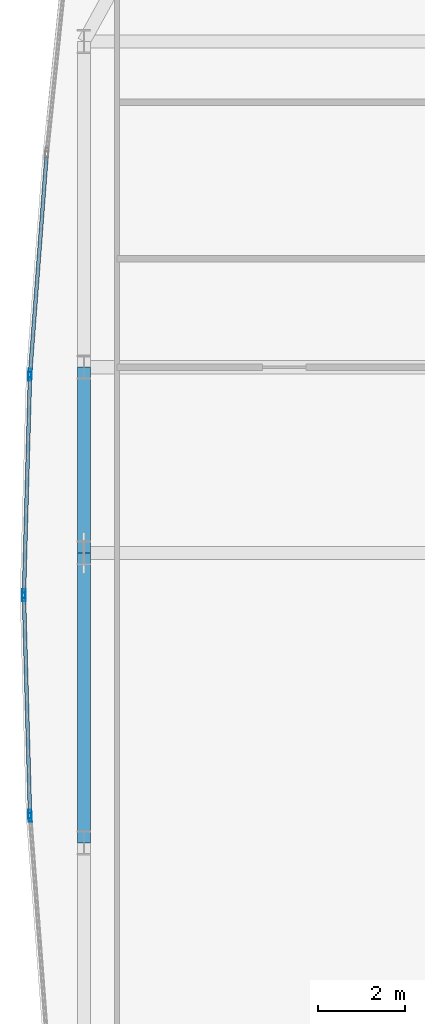
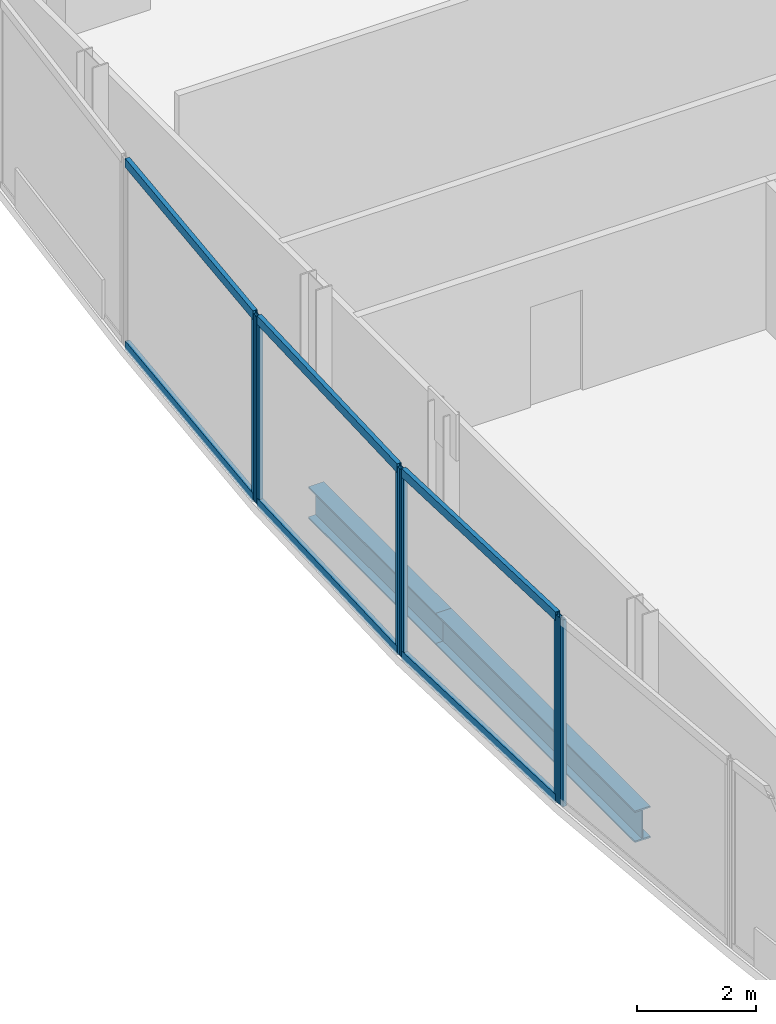
# One storey, part 10 of 33: 12 members, 2 beams, 4 elements without a shape of their own.
"""IFC4 building model written with IfcOpenShell, lengths in metres."""

import ifcopenshell
import ifcopenshell.guid

model = None  # the IFC model being written
_history = None  # IfcOwnerHistory: only IFC2X3 demands one
_inside = {}  # id of a spatial element -> (the spatial element, [elements in it])
_under = {}  # id of a project, library or spatial element -> (it, [spatial elements below it])
_declared = {}  # id of a project -> (the project, [libraries it declares])
_typed = {}  # id of a type object -> (the type object, [elements of that type])
_made_of = {}  # id of a material, layer set ... -> (it, [elements and type objects made of it])


def new_model(schema):
    """Start an empty IFC model of exactly this schema.

    Asked for "IFC4X3", IfcOpenShell would pick the latest addendum, in which some entities
    have other attributes; the version numbers below select the first issue.
    IFC2X3 requires an IfcOwnerHistory on every rooted entity: one is made here for all.
    """
    global model, _history
    if schema == "IFC4X3":
        model = ifcopenshell.file(schema_version=(4, 3, 0, 0))
    else:
        model = ifcopenshell.file(schema=schema)
    _inside.clear()
    _under.clear()
    _declared.clear()
    _typed.clear()
    _made_of.clear()
    _history = None
    if model.schema == "IFC2X3":
        org = make("IfcOrganization", Name="unknown")
        user = make(
            "IfcPersonAndOrganization",
            ThePerson=make("IfcPerson", FamilyName="unknown"),
            TheOrganization=org,
        )
        app = make(
            "IfcApplication",
            ApplicationDeveloper=org,
            Version="unknown",
            ApplicationFullName="unknown",
            ApplicationIdentifier="unknown",
        )
        _history = make(
            "IfcOwnerHistory",
            OwningUser=user,
            OwningApplication=app,
            ChangeAction="ADDED",
            CreationDate=0,
        )
    return model


def make(cls, **values):
    """One entity of the class cls with the attributes given. An attribute that is None is left unset."""
    return model.create_entity(
        cls, **{name: value for name, value in values.items() if value is not None}
    )


def rooted(cls, **values):
    """An entity with a GlobalId (a new one), such as an element, a storey or a relation."""
    return make(cls, GlobalId=ifcopenshell.guid.new(), OwnerHistory=_history, **values)


def si_unit(unit_type, name, prefix=None):
    """IfcSIUnit, for example si_unit("LENGTHUNIT", "METRE", prefix="MILLI")."""
    return make("IfcSIUnit", UnitType=unit_type, Prefix=prefix, Name=name)


def assignment(units):
    """IfcUnitAssignment: the units of a project."""
    return None if units is None else make("IfcUnitAssignment", Units=units)


def point(xyz):
    """IfcCartesianPoint."""
    return None if xyz is None else make("IfcCartesianPoint", Coordinates=xyz)


def direction(xyz):
    """IfcDirection."""
    return None if xyz is None else make("IfcDirection", DirectionRatios=xyz)


def frame(location, z_axis=None, x_axis=None):
    """IfcAxis2Placement3D, a coordinate frame: its origin and axes. An axis left out is left unset."""
    return make(
        "IfcAxis2Placement3D",
        Location=point(location),
        Axis=direction(z_axis),
        RefDirection=direction(x_axis),
    )


def frame_2d(location, x_axis=None):
    """IfcAxis2Placement2D, a coordinate frame in the plane: its origin and x axis."""
    return make(
        "IfcAxis2Placement2D", Location=point(location), RefDirection=direction(x_axis)
    )


def origin():
    """The frame at (0, 0, 0) with its axes left unset."""
    return frame((0.0, 0.0, 0.0))


def origin_2d():
    """The frame at (0, 0) in the plane with its x axis left unset."""
    return frame_2d((0.0, 0.0))


def place(relative_to, where):
    """IfcLocalPlacement: puts the frame where relative to a parent placement (None: the world)."""
    return make(
        "IfcLocalPlacement", PlacementRelTo=relative_to, RelativePlacement=where
    )


def context(
    kind, dimensions, precision=None, world=None, true_north=None, identifier=None
):
    """IfcGeometricRepresentationContext, for example the 3D "Model" context."""
    return make(
        "IfcGeometricRepresentationContext",
        ContextIdentifier=identifier,
        ContextType=kind,
        CoordinateSpaceDimension=dimensions,
        Precision=precision,
        WorldCoordinateSystem=world,
        TrueNorth=true_north,
    )


def subcontext(parent, identifier, kind, view, scale=None):
    """IfcGeometricRepresentationSubContext, for example "Body" below "Model"."""
    return make(
        "IfcGeometricRepresentationSubContext",
        ContextIdentifier=identifier,
        ContextType=kind,
        ParentContext=parent,
        TargetScale=scale,
        TargetView=view,
    )


def project(units=None, contexts=None):
    """IfcProject with its units and contexts."""
    return rooted(
        "IfcProject",
        Name="project",
        RepresentationContexts=contexts,
        UnitsInContext=assignment(units),
    )


def spatial(cls, under=None, at=None, **own):
    """A site, building, storey or space (cls), placed at a placement, below another one or the project."""
    s = rooted(cls, ObjectPlacement=at, **own)
    if under is not None:
        _under.setdefault(under.id(), (under, []))[1].append(s)
    return s


def profile(cls, at=None, kind="AREA", **sizes):
    """A parametric profile (cls). Its sizes go by their IFC names, for example OverallWidth=200.0."""
    return make(cls, ProfileType=kind, Position=at, **sizes)


def hollow_rectangle(**sizes):
    """IfcRectangleHollowProfileDef."""
    return profile("IfcRectangleHollowProfileDef", **sizes)


def i_section(**sizes):
    """IfcIShapeProfileDef."""
    return profile("IfcIShapeProfileDef", **sizes)


def extrude(swept, where, along, depth):
    """IfcExtrudedAreaSolid: the profile swept, set in the frame where, extruded along a direction by depth."""
    return make(
        "IfcExtrudedAreaSolid",
        SweptArea=swept,
        Position=where,
        ExtrudedDirection=direction(along),
        Depth=depth,
    )


def shape(context_of_items, identifier, shape_type, items):
    """IfcShapeRepresentation: the items that make up one representation, for example the "Body"."""
    return make(
        "IfcShapeRepresentation",
        ContextOfItems=context_of_items,
        RepresentationIdentifier=identifier,
        RepresentationType=shape_type,
        Items=items,
    )


def material(Name=None, Category=None):
    """IfcMaterial."""
    return make("IfcMaterial", Name=Name, Category=Category)


def material_profile(
    of_material, cross_section, Name=None, Category=None, Priority=None
):
    """IfcMaterialProfile: a cross section and its material."""
    return make(
        "IfcMaterialProfile",
        Name=Name,
        Material=of_material,
        Profile=cross_section,
        Priority=Priority,
        Category=Category,
    )


def profile_set(profiles, Name=None, composite=None):
    """IfcMaterialProfileSet."""
    return make(
        "IfcMaterialProfileSet",
        Name=Name,
        MaterialProfiles=profiles,
        CompositeProfile=composite,
    )


def made_of(thing, what):
    """Note that an element or type object is made of a material, layer set ...; save() writes the relation."""
    if what is not None:
        _made_of.setdefault(what.id(), (what, []))[1].append(thing)
    return thing


def type_object(cls, material=None, **own):
    """A type object (cls), such as IfcWallType, which elements share."""
    return made_of(rooted(cls, **own), material)


def element(
    cls,
    number,
    at=None,
    inside=None,
    cuts=None,
    type_object=None,
    material=None,
    context=None,
    identifier="Body",
    shape_type=None,
    held_by="IfcProductDefinitionShape",
    body=None,
    shapes=None,
    **own,
):
    """One element of the class cls, such as IfcWall. Its Tag is "e" and its number.

    at: its placement. inside: the storey or other place that contains it. cuts: it is an
    opening in that element (IfcRelVoidsElement). A single representation is given by context,
    identifier, shape_type and body (its items); several are given by shapes. held_by: the class
    of the entity that holds the representations. save() writes the other relations.
    """
    e = rooted(cls, Tag="e%d" % number, ObjectPlacement=at, **own)
    if body is not None:
        shapes = [shape(context, identifier, shape_type, body)]
    if shapes is not None:
        e.Representation = make(held_by, Representations=shapes)
    if inside is not None:
        _inside.setdefault(inside.id(), (inside, []))[1].append(e)
    if cuts is not None:
        rooted(
            "IfcRelVoidsElement", RelatingBuildingElement=cuts, RelatedOpeningElement=e
        )
    if type_object is not None:
        _typed.setdefault(type_object.id(), (type_object, []))[1].append(e)
    return made_of(e, material)


def aggregate(whole, parts):
    """IfcRelAggregates: a whole, such as a stair, and the parts it consists of."""
    return rooted("IfcRelAggregates", RelatingObject=whole, RelatedObjects=parts)


def save(model, path):
    """Write the relations noted so far, then the file.

    IfcRelAggregates (storeys below a building ...), IfcRelContainedInSpatialStructure (elements
    in a storey), IfcRelDefinesByType, IfcRelAssociatesMaterial and IfcRelDeclares: one each for
    every whole, place, type object, material and project.
    """
    for whole, parts in _under.values():
        aggregate(whole, parts)
    for where, things in _inside.values():
        rooted(
            "IfcRelContainedInSpatialStructure",
            RelatedElements=things,
            RelatingStructure=where,
        )
    for kind, things in _typed.values():
        rooted("IfcRelDefinesByType", RelatedObjects=things, RelatingType=kind)
    for what, things in _made_of.values():
        rooted("IfcRelAssociatesMaterial", RelatedObjects=things, RelatingMaterial=what)
    for by, libraries in _declared.values():
        rooted("IfcRelDeclares", RelatingContext=by, RelatedDefinitions=libraries)
    model.write(path)


model = new_model("IFC4")

# Units and contexts
model_context = context("Model", 3, precision=1e-05, world=origin(), true_north=direction((0.0, 1.0)))
body_context = subcontext(model_context, "Body", "Model", "MODEL_VIEW")
ifc_project = project(units=[si_unit("LENGTHUNIT", "METRE"), si_unit("AREAUNIT", "SQUARE_METRE"), si_unit("VOLUMEUNIT", "CUBIC_METRE"), si_unit("PLANEANGLEUNIT", "RADIAN"), si_unit("MASSUNIT", "GRAM", prefix="KILO")], contexts=[model_context])

# Site, building, storey
site_placement = place(None, origin())
site = spatial("IfcSite", under=ifc_project, at=site_placement, CompositionType="ELEMENT")
building_placement = place(site_placement, origin())
building = spatial("IfcBuilding", under=site, at=building_placement, Name="Khoronbel Lancet Exchange", CompositionType="ELEMENT")
storey_placement = place(building_placement, frame((0.0, 0.0, 33.800048828125)))
storey = spatial("IfcBuildingStorey", under=building, at=storey_placement, Name="L07", CompositionType="ELEMENT", Elevation=33.800048828125)

# Beams
ifc_material_1 = material(Name="Steel S355", Category="steel")
ifc_material_profile_1 = material_profile(ifc_material_1, i_section(OverallWidth=0.300048828125, OverallDepth=0.64990234375, WebThickness=0.01611328125, FlangeThickness=0.031005859375, at=origin_2d()), Name="HEB 650")
ifc_profile_set_1 = profile_set([ifc_material_profile_1], Name="Steel S355")
beam_type = type_object("IfcBeamType", Name="BM-BSP1", PredefinedType="SPANDREL", material=ifc_profile_set_1)
beam_1_placement = place(storey_placement, frame((1.27001953125, 35.699951171875, -0.505126953125), z_axis=(0.0, -1.0, 0.0), x_axis=(1.0, 0.0, 0.0)))
element("IfcBeam", 1, at=beam_1_placement, inside=storey, type_object=beam_type, Name="Level L07 perimeter spandrel beam SP18", PredefinedType="SPANDREL", context=body_context, shape_type="SweptSolid", body=[
    extrude(i_section(OverallWidth=0.300048828125, OverallDepth=0.64990234375, WebThickness=0.01611328125, FlangeThickness=0.031005859375, at=origin_2d()), origin(), (0.0, 0.0, 1.0), 4.27490234375),
])
beam_2_placement = place(storey_placement, frame((1.27001953125, 31.425048828125, -0.505126953125), z_axis=(0.0, -1.0, 0.0), x_axis=(1.0, 0.0, 0.0)))
element("IfcBeam", 2, at=beam_2_placement, inside=storey, type_object=beam_type, Name="Level L07 perimeter spandrel beam SP19", PredefinedType="SPANDREL", context=body_context, shape_type="SweptSolid", body=[
    extrude(i_section(OverallWidth=0.300048828125, OverallDepth=0.64990234375, WebThickness=0.01611328125, FlangeThickness=0.031005859375, at=origin_2d()), origin(), (0.0, 0.0, 1.0), 6.675048828125),
])

# Curtain wall, member
ifc_material_2 = material(Name="Low-E Solar Control Insulating Glass", Category="glass")
curtain_wall_type = type_object("IfcCurtainWallType", Name="CW-4", PredefinedType="NOTDEFINED", material=ifc_material_2)
curtain_wall_1_placement = place(storey_placement, origin())
curtain_wall_1 = element("IfcCurtainWall", 3, at=curtain_wall_1_placement, inside=storey, type_object=curtain_wall_type, Name="Unitised curtain wall CW-L07-E05", PredefinedType="NOTDEFINED")
ifc_material_3 = material(Name="Bronze-Anodised Aluminium 6063-T6", Category="aluminium")
ifc_material_profile_2 = material_profile(ifc_material_3, hollow_rectangle(XDim=0.074951171875, YDim=0.199951171875, WallThickness=0.0048828125, at=origin_2d()), Name="ALU MULLION 75x200")
ifc_profile_set_2 = profile_set([ifc_material_profile_2], Name="Bronze-Anodised Aluminium 6063-T6")
member_type_1 = type_object("IfcMemberType", Name="MEM-CWM2", PredefinedType="MULLION", material=ifc_profile_set_2)
member_1_placement = place(storey_placement, frame((0.033447265625, 25.333984375, 0.0), z_axis=(0.0, 0.0, 1.0), x_axis=(-0.997153744129, -0.075395030141, 0.0)))
member_1 = element("IfcMember", 4, at=member_1_placement, type_object=member_type_1, Name="CW4 mullion 2", PredefinedType="MULLION", context=body_context, shape_type="SweptSolid", body=[
    extrude(hollow_rectangle(XDim=0.074951171875, YDim=0.199951171875, WallThickness=0.0048828125, at=origin_2d()), origin(), (0.0, 0.0, 1.0), 3.820068359375),
])
aggregate(curtain_wall_1, [member_1])

# Curtain wall, members
curtain_wall_2_placement = place(storey_placement, origin())
curtain_wall_2 = element("IfcCurtainWall", 5, at=curtain_wall_2_placement, inside=storey, type_object=curtain_wall_type, Name="Unitised curtain wall CW-L07-E06", PredefinedType="NOTDEFINED")
member_2_placement = place(storey_placement, frame((0.029541015625, 25.40869140625, 0.0), z_axis=(0.0, 0.0, 1.0), x_axis=(-0.999617011286, -0.027673647157, 0.0)))
member_2 = element("IfcMember", 6, at=member_2_placement, type_object=member_type_1, Name="CW4 mullion 1", PredefinedType="MULLION", context=body_context, shape_type="SweptSolid", body=[
    extrude(hollow_rectangle(XDim=0.074951171875, YDim=0.199951171875, WallThickness=0.0048828125, at=origin_2d()), origin(), (0.0, 0.0, 1.0), 3.820068359375),
])
member_3_placement = place(storey_placement, frame((-0.10888671875, 30.41259765625, 0.0), z_axis=(0.0, 0.0, 1.0), x_axis=(-0.999617011286, -0.027673647157, 0.0)))
member_3 = element("IfcMember", 7, at=member_3_placement, type_object=member_type_1, Name="CW4 mullion 2", PredefinedType="MULLION", context=body_context, shape_type="SweptSolid", body=[
    extrude(hollow_rectangle(XDim=0.074951171875, YDim=0.199951171875, WallThickness=0.0048828125, at=origin_2d()), origin(), (0.0, 0.0, 1.0), 3.820068359375),
])

curtain_wall_3_placement = place(storey_placement, origin())
curtain_wall_3 = element("IfcCurtainWall", 8, at=curtain_wall_3_placement, inside=storey, type_object=curtain_wall_type, Name="Unitised curtain wall CW-L07-E07", PredefinedType="NOTDEFINED")
member_4_placement = place(storey_placement, frame((-0.10888671875, 30.487548828125, 0.0), z_axis=(0.0, 0.0, 1.0), x_axis=(-0.999617011286, 0.027673647157, 0.0)))
member_4 = element("IfcMember", 9, at=member_4_placement, type_object=member_type_1, Name="CW4 mullion 1", PredefinedType="MULLION", context=body_context, shape_type="SweptSolid", body=[
    extrude(hollow_rectangle(XDim=0.074951171875, YDim=0.199951171875, WallThickness=0.0048828125, at=origin_2d()), origin(), (0.0, 0.0, 1.0), 3.820068359375),
])
member_5_placement = place(storey_placement, frame((0.029541015625, 35.4912109375, 0.0), z_axis=(0.0, 0.0, 1.0), x_axis=(-0.999617011286, 0.027673647157, 0.0)))
member_5 = element("IfcMember", 10, at=member_5_placement, type_object=member_type_1, Name="CW4 mullion 2", PredefinedType="MULLION", context=body_context, shape_type="SweptSolid", body=[
    extrude(hollow_rectangle(XDim=0.074951171875, YDim=0.199951171875, WallThickness=0.0048828125, at=origin_2d()), origin(), (0.0, 0.0, 1.0), 3.820068359375),
])

# Curtain wall, member
curtain_wall_4_placement = place(storey_placement, origin())
curtain_wall_4 = element("IfcCurtainWall", 11, at=curtain_wall_4_placement, inside=storey, type_object=curtain_wall_type, Name="Unitised curtain wall CW-L07-E08", PredefinedType="NOTDEFINED")
member_6_placement = place(storey_placement, frame((0.033447265625, 35.566162109375, 0.0), z_axis=(0.0, 0.0, 1.0), x_axis=(-0.997153744129, 0.075395030141, 0.0)))
member_6 = element("IfcMember", 12, at=member_6_placement, type_object=member_type_1, Name="CW4 mullion 1", PredefinedType="MULLION", context=body_context, shape_type="SweptSolid", body=[
    extrude(hollow_rectangle(XDim=0.074951171875, YDim=0.199951171875, WallThickness=0.0048828125, at=origin_2d()), origin(), (0.0, 0.0, 1.0), 3.820068359375),
])

# Member
ifc_material_profile_3 = material_profile(ifc_material_3, hollow_rectangle(XDim=0.0849609375, YDim=0.179931640625, WallThickness=0.0048828125, at=origin_2d()), Name="ALU TRANSOM 85x180")
ifc_profile_set_3 = profile_set([ifc_material_profile_3], Name="Bronze-Anodised Aluminium 6063-T6")
member_type_2 = type_object("IfcMemberType", Name="MEM-CWT1", PredefinedType="USERDEFINED", material=ifc_profile_set_3)
member_7_placement = place(storey_placement, frame((0.028564453125, 25.4462890625, 0.04248046875), z_axis=(-0.027679107628, 0.999616860102, 0.0), x_axis=(-0.999616860102, -0.027679107628, 0.0)))
member_7 = element("IfcMember", 13, at=member_7_placement, type_object=member_type_2, Name="CW4 transom 1.1", ObjectType="TRANSOM", PredefinedType="USERDEFINED", context=body_context, shape_type="SweptSolid", body=[
    extrude(hollow_rectangle(XDim=0.0849609375, YDim=0.179931640625, WallThickness=0.0048828125, at=origin_2d()), origin(), (0.0, 0.0, 1.0), 4.9306640625),
])

member_8_placement = place(storey_placement, frame((0.028564453125, 25.4462890625, 3.77734375), z_axis=(-0.027679107628, 0.999616860102, 0.0), x_axis=(-0.999616860102, -0.027679107628, 0.0)))
member_8 = element("IfcMember", 14, at=member_8_placement, type_object=member_type_2, Name="CW4 transom 1.2", ObjectType="TRANSOM", PredefinedType="USERDEFINED", context=body_context, shape_type="SweptSolid", body=[
    extrude(hollow_rectangle(XDim=0.0849609375, YDim=0.179931640625, WallThickness=0.0048828125, at=origin_2d()), origin(), (0.0, 0.0, 1.0), 4.9306640625),
])

aggregate(curtain_wall_2, [member_2, member_3, member_7, member_8])

member_9_placement = place(storey_placement, frame((-0.10791015625, 30.52490234375, 0.04248046875), z_axis=(0.027679107628, 0.999616860102, 0.0), x_axis=(-0.999616860102, 0.027679107628, 0.0)))
member_9 = element("IfcMember", 15, at=member_9_placement, type_object=member_type_2, Name="CW4 transom 1.1", ObjectType="TRANSOM", PredefinedType="USERDEFINED", context=body_context, shape_type="SweptSolid", body=[
    extrude(hollow_rectangle(XDim=0.0849609375, YDim=0.179931640625, WallThickness=0.0048828125, at=origin_2d()), origin(), (0.0, 0.0, 1.0), 4.9306640625),
])

member_10_placement = place(storey_placement, frame((-0.10791015625, 30.52490234375, 3.77734375), z_axis=(0.027679107628, 0.999616860102, 0.0), x_axis=(-0.999616860102, 0.027679107628, 0.0)))
member_10 = element("IfcMember", 16, at=member_10_placement, type_object=member_type_2, Name="CW4 transom 1.2", ObjectType="TRANSOM", PredefinedType="USERDEFINED", context=body_context, shape_type="SweptSolid", body=[
    extrude(hollow_rectangle(XDim=0.0849609375, YDim=0.179931640625, WallThickness=0.0048828125, at=origin_2d()), origin(), (0.0, 0.0, 1.0), 4.9306640625),
])

aggregate(curtain_wall_3, [member_4, member_5, member_9, member_10])

member_11_placement = place(storey_placement, frame((0.0361328125, 35.603515625, 0.04248046875), z_axis=(0.07539754774, 0.997153553769, 0.0), x_axis=(-0.997153553769, 0.07539754774, 0.0)))
member_11 = element("IfcMember", 17, at=member_11_placement, type_object=member_type_2, Name="CW4 transom 1.1", ObjectType="TRANSOM", PredefinedType="USERDEFINED", context=body_context, shape_type="SweptSolid", body=[
    extrude(hollow_rectangle(XDim=0.0849609375, YDim=0.179931640625, WallThickness=0.0048828125, at=origin_2d()), origin(), (0.0, 0.0, 1.0), 4.944580078125),
])

member_12_placement = place(storey_placement, frame((0.0361328125, 35.603515625, 3.77734375), z_axis=(0.07539754774, 0.997153553769, 0.0), x_axis=(-0.997153553769, 0.07539754774, 0.0)))
member_12 = element("IfcMember", 18, at=member_12_placement, type_object=member_type_2, Name="CW4 transom 1.2", ObjectType="TRANSOM", PredefinedType="USERDEFINED", context=body_context, shape_type="SweptSolid", body=[
    extrude(hollow_rectangle(XDim=0.0849609375, YDim=0.179931640625, WallThickness=0.0048828125, at=origin_2d()), origin(), (0.0, 0.0, 1.0), 4.944580078125),
])

aggregate(curtain_wall_4, [member_6, member_11, member_12])

save(model, "model.ifc")
